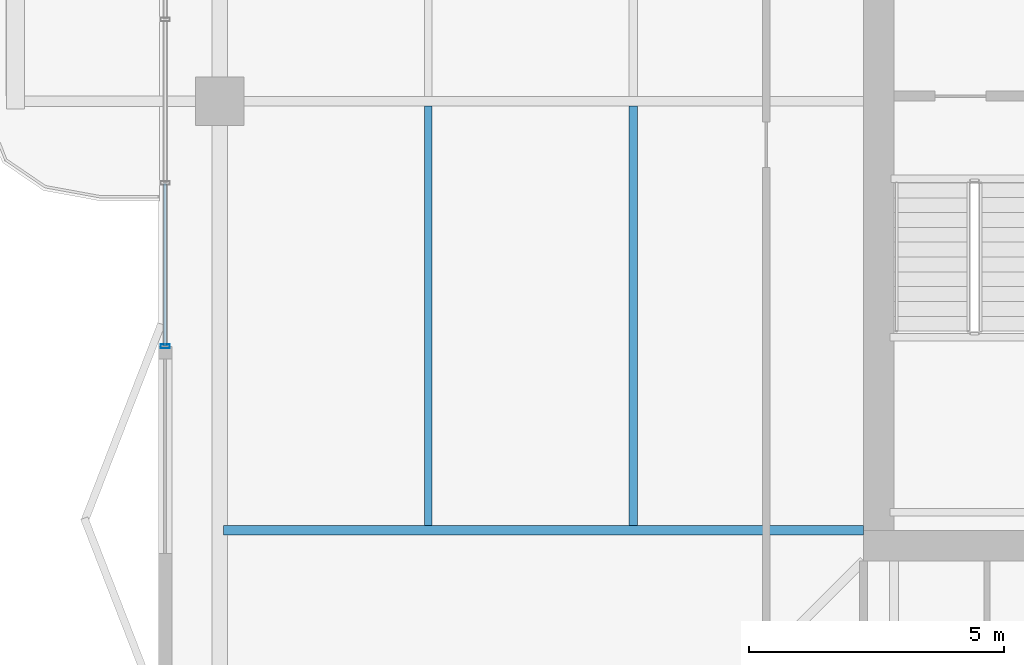
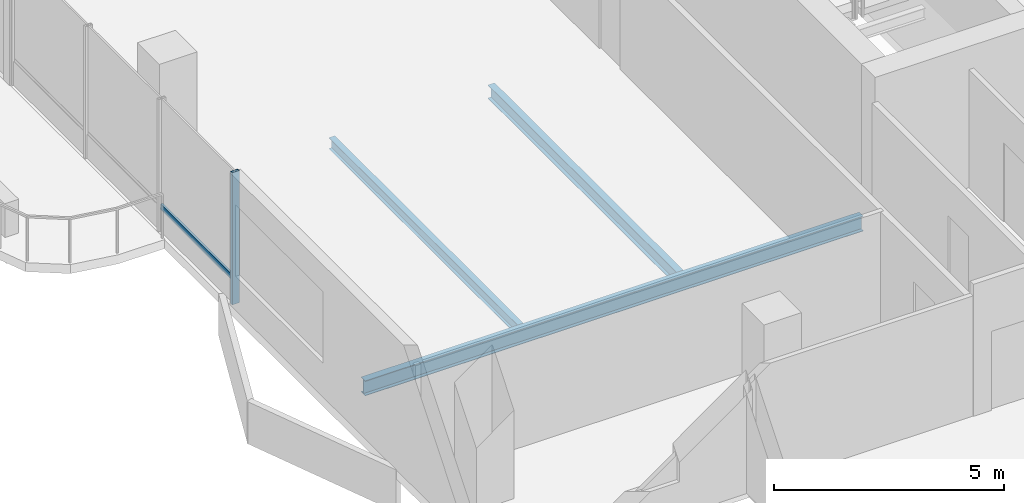
# One storey, part 5 of 17: 3 beams, 2 members, 1 element without a shape of its own.
"""IFC4 building model written with IfcOpenShell, lengths in metres."""

from ifc_helpers import new_model, si_unit, direction, frame, origin, origin_2d, place, context, subcontext, project, spatial, hollow_rectangle, i_section, extrude, material, layer, layer_set, material_profile, profile_set, type_object, element, aggregate, save


model = new_model("IFC4")

# Units and contexts
model_context = context("Model", 3, precision=1e-05, world=origin(), true_north=direction((0.0, 1.0)))
body_context = subcontext(model_context, "Body", "Model", "MODEL_VIEW")
ifc_project = project(units=[si_unit("LENGTHUNIT", "METRE"), si_unit("AREAUNIT", "SQUARE_METRE"), si_unit("VOLUMEUNIT", "CUBIC_METRE"), si_unit("PLANEANGLEUNIT", "RADIAN"), si_unit("MASSUNIT", "GRAM", prefix="KILO")], contexts=[model_context])

# Site, building, storey
site_placement = place(None, origin())
site = spatial("IfcSite", under=ifc_project, at=site_placement, CompositionType="ELEMENT")
building_placement = place(site_placement, origin())
building = spatial("IfcBuilding", under=site, at=building_placement, Name="Belovzor Exchange Tower", CompositionType="ELEMENT")
storey_placement = place(building_placement, frame((0.0, 0.0, 325.5)))
storey = spatial("IfcBuildingStorey", under=building, at=storey_placement, Name="L81", CompositionType="ELEMENT", Elevation=325.5)

# Beams
ifc_material_1 = material(Name="Steel S355", Category="steel")
ifc_material_profile_1 = material_profile(ifc_material_1, i_section(OverallWidth=0.169921875, OverallDepth=0.360107421875, WebThickness=0.008056640625, FlangeThickness=0.0126953125, at=origin_2d()))
ifc_profile_set_1 = profile_set([ifc_material_profile_1], Name="Steel S355")
beam_type_1 = type_object("IfcBeamType", Name="Secondary Infill Floor Joist IPE 360", PredefinedType="BEAM", material=ifc_profile_set_1)
beam_1_placement = place(storey_placement, frame((15.291015625, 20.489990234375, -0.419921875), z_axis=(0.0, 1.0, 0.0), x_axis=(-1.0, 0.0, 0.0)))
element("IfcBeam", 1, at=beam_1_placement, inside=storey, type_object=beam_type_1, Name="FJ-360 Secondary Infill Floor Joist IPE 360", PredefinedType="BEAM", context=body_context, shape_type="SweptSolid", body=[
    extrude(i_section(OverallWidth=0.169921875, OverallDepth=0.360107421875, WebThickness=0.008056640625, FlangeThickness=0.0126953125, at=origin_2d()), origin(), (0.0, 0.0, 1.0), 8.219970703125),
])
ifc_material_2 = material(Name="Steel S355", Category="steel")
ifc_material_profile_2 = material_profile(ifc_material_2, i_section(OverallWidth=0.14990234375, OverallDepth=0.300048828125, WebThickness=0.007080078125, FlangeThickness=0.0107421875, at=origin_2d()))
ifc_profile_set_2 = profile_set([ifc_material_profile_2], Name="Steel S355")
beam_type_2 = type_object("IfcBeamType", Name="Secondary Trim Floor Joist IPE 300", PredefinedType="BEAM", material=ifc_profile_set_2)
beam_2_placement = place(storey_placement, frame((11.282958984375, 20.489990234375, -0.389892578125), z_axis=(0.0, 1.0, 0.0), x_axis=(-1.0, 0.0, 0.0)))
element("IfcBeam", 2, at=beam_2_placement, inside=storey, type_object=beam_type_2, Name="FJ-300 Secondary Trim Floor Joist IPE 300", PredefinedType="BEAM", context=body_context, shape_type="SweptSolid", body=[
    extrude(i_section(OverallWidth=0.14990234375, OverallDepth=0.300048828125, WebThickness=0.007080078125, FlangeThickness=0.0107421875, at=origin_2d()), origin(), (0.0, 0.0, 1.0), 8.219970703125),
])

# Curtain wall, members
ifc_material_3 = material(Name="Anodised Aluminium Framing", Category="aluminium")
ifc_layer = layer(ifc_material_3, 0.179931640625)
ifc_layer_set = layer_set([ifc_layer], Name="Anodised Aluminium Framing")
curtain_wall_type = type_object("IfcCurtainWallType", Name="Recessed Loggia Low-Iron Triple-Glazed Curtain Wall", PredefinedType="NOTDEFINED", material=ifc_layer_set)
curtain_wall_placement = place(storey_placement, origin())
curtain_wall = element("IfcCurtainWall", 3, at=curtain_wall_placement, inside=storey, type_object=curtain_wall_type, Name="CW3 Recessed Loggia Low-Iron Triple-Glazed Curtain Wall L81", PredefinedType="NOTDEFINED")
ifc_material_4 = material(Name="Steel S355", Category="steel")
ifc_material_profile_3 = material_profile(ifc_material_4, hollow_rectangle(XDim=0.074951171875, YDim=0.179931640625, WallThickness=0.0048828125, at=origin_2d()))
ifc_profile_set_3 = profile_set([ifc_material_profile_3], Name="Steel S355")
member_type_1 = type_object("IfcMemberType", Name="Thermally Broken Curtain Wall Mullion 180x75", PredefinedType="MULLION", material=ifc_profile_set_3)
member_1_placement = place(storey_placement, frame((6.1298828125, 24.0, 0.0), z_axis=(0.0, 0.0, 1.0), x_axis=(0.0, 1.0, 0.0)))
member_1 = element("IfcMember", 4, at=member_1_placement, type_object=member_type_1, Name="CW-M180 Curtain Wall Mullion 1", PredefinedType="MULLION", context=body_context, shape_type="SweptSolid", body=[
    extrude(hollow_rectangle(XDim=0.074951171875, YDim=0.179931640625, WallThickness=0.0048828125, at=origin_2d()), origin(), (0.0, 0.0, 1.0), 3.510009765625),
])
ifc_material_5 = material(Name="Steel S355", Category="steel")
ifc_material_profile_4 = material_profile(ifc_material_5, hollow_rectangle(XDim=0.06005859375, YDim=0.14990234375, WallThickness=0.00390625, at=origin_2d()))
ifc_profile_set_4 = profile_set([ifc_material_profile_4], Name="Steel S355")
member_type_2 = type_object("IfcMemberType", Name="Thermally Broken Curtain Wall Transom 150x60", PredefinedType="USERDEFINED", material=ifc_profile_set_4)
member_2_placement = place(storey_placement, frame((6.1298828125, 24.008056640625, 0.632080078125), z_axis=(0.0, 1.0, 0.0), x_axis=(-1.0, 0.0, 0.0)))
member_2 = element("IfcMember", 5, at=member_2_placement, type_object=member_type_2, Name="CW-T150 Curtain Wall Transom 1", ObjectType="TRANSOM", PredefinedType="USERDEFINED", context=body_context, shape_type="SweptSolid", body=[
    extrude(hollow_rectangle(XDim=0.06005859375, YDim=0.14990234375, WallThickness=0.00390625, at=origin_2d()), origin(), (0.0, 0.0, 1.0), 3.183837890625),
])
aggregate(curtain_wall, [member_1, member_2])

# Beam
ifc_material_6 = material(Name="Steel S355", Category="steel")
ifc_material_profile_5 = material_profile(ifc_material_6, i_section(OverallWidth=0.179931640625, OverallDepth=0.39990234375, WebThickness=0.008544921875, FlangeThickness=0.013427734375, at=origin_2d()))
ifc_profile_set_5 = profile_set([ifc_material_profile_5], Name="Steel S355")
beam_type_3 = type_object("IfcBeamType", Name="Zone 5-6 Radial Composite Floor Beam IPE 400", PredefinedType="BEAM", material=ifc_profile_set_5)
beam_3_placement = place(storey_placement, frame((19.800048828125, 20.39990234375, -0.43994140625), z_axis=(-1.0, 0.0, 0.0), x_axis=(0.0, -1.0, 0.0)))
element("IfcBeam", 6, at=beam_3_placement, inside=storey, type_object=beam_type_3, Name="FB-400 Zone 5-6 Radial Composite Floor Beam IPE 400", PredefinedType="BEAM", context=body_context, shape_type="SweptSolid", body=[
    extrude(i_section(OverallWidth=0.179931640625, OverallDepth=0.39990234375, WebThickness=0.008544921875, FlangeThickness=0.013427734375, at=origin_2d()), origin(), (0.0, 0.0, 1.0), 12.525146484375),
])

save(model, "model.ifc")
